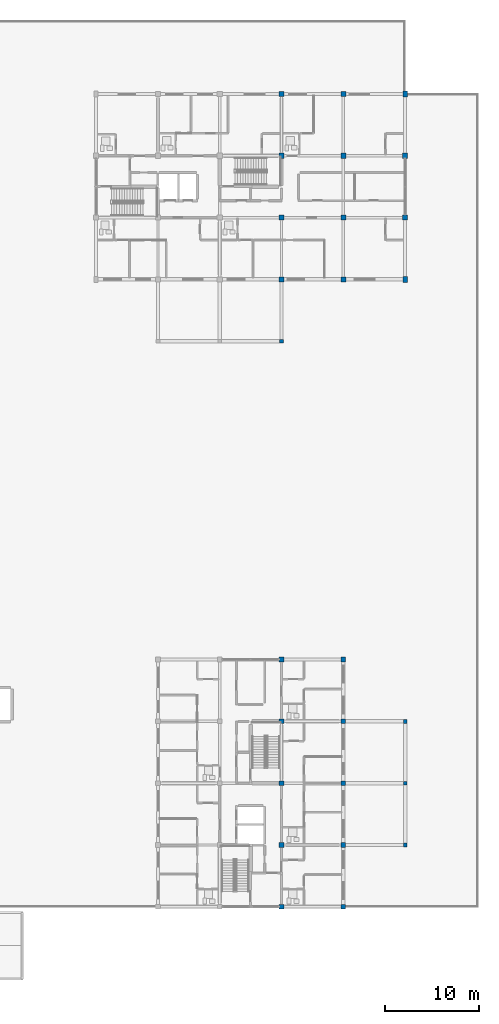
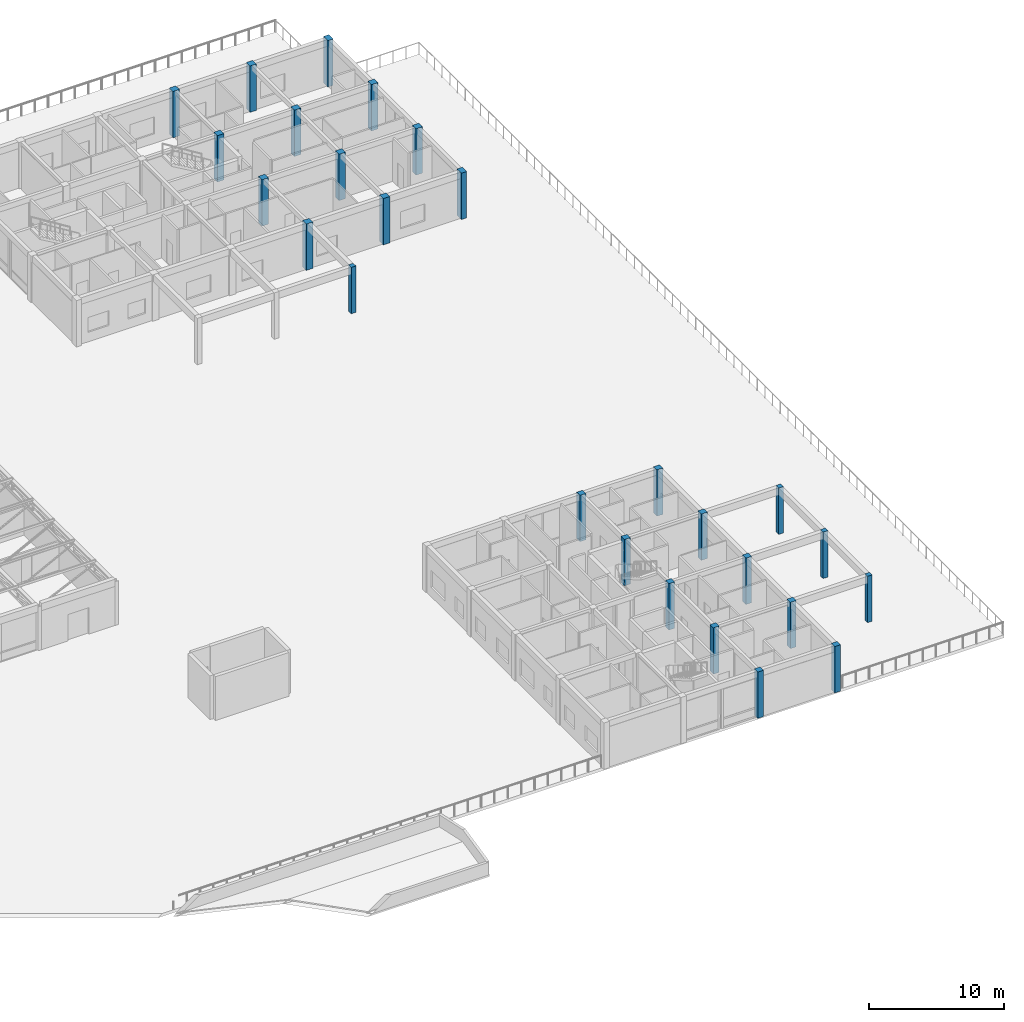
# One storey, part 10 of 92: 26 columns.
"""IFC4 building model written with IfcOpenShell, lengths in metres."""

from ifc_helpers import new_model, si_unit, direction, frame, origin, origin_2d, place, context, subcontext, project, spatial, rectangle, extrude, material, material_profile, profile_set, type_object, element, save


model = new_model("IFC4")

# Units and contexts
model_context = context("Model", 3, precision=1e-05, world=origin(), true_north=direction((0.0, 1.0)))
body_context = subcontext(model_context, "Body", "Model", "MODEL_VIEW")
ifc_project = project(units=[si_unit("LENGTHUNIT", "METRE"), si_unit("AREAUNIT", "SQUARE_METRE"), si_unit("VOLUMEUNIT", "CUBIC_METRE"), si_unit("PLANEANGLEUNIT", "RADIAN"), si_unit("MASSUNIT", "GRAM", prefix="KILO")], contexts=[model_context])

# Site, building, storey
site_placement = place(None, origin())
site = spatial("IfcSite", under=ifc_project, at=site_placement, CompositionType="ELEMENT")
building_placement = place(site_placement, origin())
building = spatial("IfcBuilding", under=site, at=building_placement, Name="Kernevlak Ridge Housing Community", CompositionType="ELEMENT")
storey_placement = place(building_placement, frame((0.0, 0.0, 4.199951171875)))
storey = spatial("IfcBuildingStorey", under=building, at=storey_placement, Name="L01", CompositionType="ELEMENT", Elevation=4.199951171875)

# Columns
ifc_material_1 = material(Name="Concrete C40/50", Category="concrete")
ifc_material_profile_1 = material_profile(ifc_material_1, rectangle(XDim=0.550048828125, YDim=0.550048828125, at=origin_2d()), Name="RC 550x550")
ifc_profile_set_1 = profile_set([ifc_material_profile_1], Name="Concrete C40/50")
column_type_1 = type_object("IfcColumnType", Name="C-02", PredefinedType="COLUMN", material=ifc_profile_set_1)
for number, where, z_axis, x_axis, name in (
    (1, (139.199951171875, 82.60009765625, 0.0), (0.0, 0.0, 1.0), (1.0, 0.0, 0.0), "Column C-02 COL-B-L01-03-0"),
    (2, (139.199951171875, 89.199951171875, 0.0), (0.0, 0.0, 1.0), (1.0, 0.0, 0.0), "Column C-02 COL-B-L01-03-1"),
    (3, (139.199951171875, 95.800048828125, 0.0), (0.0, 0.0, 1.0), (1.0, 0.0, 0.0), "Column C-02 COL-B-L01-03-2"),
    (4, (139.199951171875, 102.39990234375, 0.0), (0.0, 0.0, 1.0), (1.0, 0.0, 0.0), "Column C-02 COL-B-L01-03-3"),
    (5, (145.800048828125, 82.60009765625, 0.0), (0.0, 0.0, 1.0), (1.0, 0.0, 0.0), "Column C-02 COL-B-L01-04-0"),
    (6, (145.800048828125, 89.199951171875, 0.0), (0.0, 0.0, 1.0), (1.0, 0.0, 0.0), "Column C-02 COL-B-L01-04-1"),
    (7, (145.800048828125, 95.800048828125, 0.0), (0.0, 0.0, 1.0), (1.0, 0.0, 0.0), "Column C-02 COL-B-L01-04-2"),
    (8, (145.800048828125, 102.39990234375, 0.0), (0.0, 0.0, 1.0), (1.0, 0.0, 0.0), "Column C-02 COL-B-L01-04-3"),
    (9, (152.39990234375, 89.199951171875, 0.0), (0.0, 0.0, 1.0), (1.0, 0.0, 0.0), "Column C-02 COL-B-L01-05-1"),
    (10, (152.39990234375, 95.800048828125, 0.0), (0.0, 0.0, 1.0), (1.0, 0.0, 0.0), "Column C-02 COL-B-L01-05-2"),
):
    element("IfcColumn", number, at=place(storey_placement, frame(where, z_axis=z_axis, x_axis=x_axis)), inside=storey, type_object=column_type_1, Name=name, PredefinedType="COLUMN", context=body_context, shape_type="SweptSolid", body=[
        extrude(rectangle(XDim=0.550048828125, YDim=0.550048828125, at=origin_2d()), origin(), (0.0, 0.0, 1.0), 4.199951171875),
    ])
ifc_material_profile_2 = material_profile(ifc_material_1, rectangle(XDim=0.5, YDim=0.5, at=origin_2d()), Name="RC 500x500")
ifc_profile_set_2 = profile_set([ifc_material_profile_2], Name="Concrete C40/50")
column_type_2 = type_object("IfcColumnType", Name="C-03", PredefinedType="COLUMN", material=ifc_profile_set_2)
for number, where, z_axis, x_axis, name in (
    (11, (139.199951171875, 15.60009765625, 0.0), (0.0, 0.0, 1.0), (1.0, 0.0, 0.0), "Column C-03 COL-C-L01-00-2"),
    (12, (145.800048828125, 15.60009765625, 0.0), (0.0, 0.0, 1.0), (1.0, 0.0, 0.0), "Column C-03 COL-C-L01-00-3"),
    (13, (139.199951171875, 22.199951171875, 0.0), (0.0, 0.0, 1.0), (1.0, 0.0, 0.0), "Column C-03 COL-C-L01-01-2"),
    (14, (145.800048828125, 22.199951171875, 0.0), (0.0, 0.0, 1.0), (1.0, 0.0, 0.0), "Column C-03 COL-C-L01-01-3"),
    (15, (139.199951171875, 28.800048828125, 0.0), (0.0, 0.0, 1.0), (1.0, 0.0, 0.0), "Column C-03 COL-C-L01-02-2"),
    (16, (145.800048828125, 28.800048828125, 0.0), (0.0, 0.0, 1.0), (1.0, 0.0, 0.0), "Column C-03 COL-C-L01-02-3"),
    (17, (139.199951171875, 35.39990234375, 0.0), (0.0, 0.0, 1.0), (1.0, 0.0, 0.0), "Column C-03 COL-C-L01-03-2"),
    (18, (145.800048828125, 35.39990234375, 0.0), (0.0, 0.0, 1.0), (1.0, 0.0, 0.0), "Column C-03 COL-C-L01-03-3"),
    (19, (139.199951171875, 42.0, 0.0), (0.0, 0.0, 1.0), (1.0, 0.0, 0.0), "Column C-03 COL-C-L01-04-2"),
    (20, (145.800048828125, 42.0, 0.0), (0.0, 0.0, 1.0), (1.0, 0.0, 0.0), "Column C-03 COL-C-L01-04-3"),
):
    element("IfcColumn", number, at=place(storey_placement, frame(where, z_axis=z_axis, x_axis=x_axis)), inside=storey, type_object=column_type_2, Name=name, PredefinedType="COLUMN", context=body_context, shape_type="SweptSolid", body=[
        extrude(rectangle(XDim=0.5, YDim=0.5, at=origin_2d()), origin(), (0.0, 0.0, 1.0), 4.199951171875),
    ])
ifc_material_2 = material(Name="Concrete C35/45", Category="concrete")
ifc_material_profile_3 = material_profile(ifc_material_2, rectangle(XDim=0.39990234375, YDim=0.39990234375, at=origin_2d()), Name="RC 400x400")
ifc_profile_set_3 = profile_set([ifc_material_profile_3], Name="Concrete C35/45")
column_type_3 = type_object("IfcColumnType", Name="C-05", PredefinedType="COLUMN", material=ifc_profile_set_3)
for number, where, z_axis, x_axis, name in (
    (21, (139.199951171875, 76.0, 0.0), (0.0, 0.0, 1.0), (1.0, 0.0, 0.0), "Column C-05 COL-NUR-L01-245"),
    (22, (152.39990234375, 22.199951171875, 0.0), (0.0, 0.0, 1.0), (1.0, 0.0, 0.0), "Column C-05 COL-NUR-L01-259"),
    (23, (152.39990234375, 28.800048828125, 0.0), (0.0, 0.0, 1.0), (1.0, 0.0, 0.0), "Column C-05 COL-NUR-L01-260"),
    (24, (152.39990234375, 35.39990234375, 0.0), (0.0, 0.0, 1.0), (1.0, 0.0, 0.0), "Column C-05 COL-NUR-L01-261"),
):
    element("IfcColumn", number, at=place(storey_placement, frame(where, z_axis=z_axis, x_axis=x_axis)), inside=storey, type_object=column_type_3, Name=name, PredefinedType="COLUMN", context=body_context, shape_type="SweptSolid", body=[
        extrude(rectangle(XDim=0.39990234375, YDim=0.39990234375, at=origin_2d()), origin(), (0.0, 0.0, 1.0), 4.199951171875),
    ])
ifc_material_profile_4 = material_profile(ifc_material_1, rectangle(XDim=0.449951171875, YDim=0.64990234375, at=origin_2d()), Name="RC 450x650")
ifc_profile_set_4 = profile_set([ifc_material_profile_4], Name="Concrete C40/50")
column_type_4 = type_object("IfcColumnType", Name="C-08", PredefinedType="COLUMN", material=ifc_profile_set_4)
for number, where, z_axis, x_axis, name in (
    (25, (152.39990234375, 82.60009765625, 0.0), (0.0, 0.0, 1.0), (1.0, 0.0, 0.0), "Column C-08 COL-B-L01-05-0"),
    (26, (152.39990234375, 102.39990234375, 0.0), (0.0, 0.0, 1.0), (1.0, 0.0, 0.0), "Column C-08 COL-B-L01-05-3"),
):
    element("IfcColumn", number, at=place(storey_placement, frame(where, z_axis=z_axis, x_axis=x_axis)), inside=storey, type_object=column_type_4, Name=name, PredefinedType="COLUMN", context=body_context, shape_type="SweptSolid", body=[
        extrude(rectangle(XDim=0.449951171875, YDim=0.64990234375, at=origin_2d()), origin(), (0.0, 0.0, 1.0), 4.199951171875),
    ])

save(model, "model.ifc")
